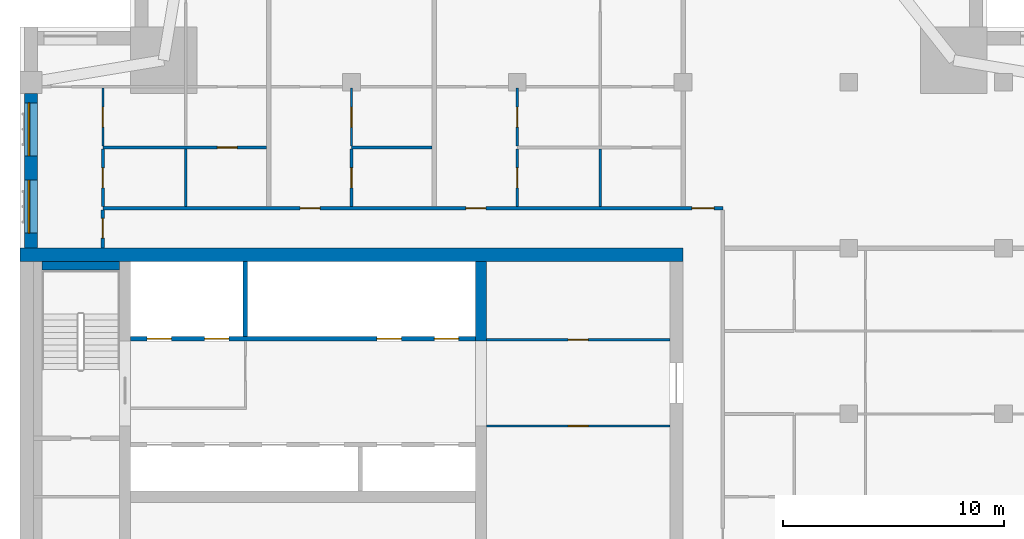
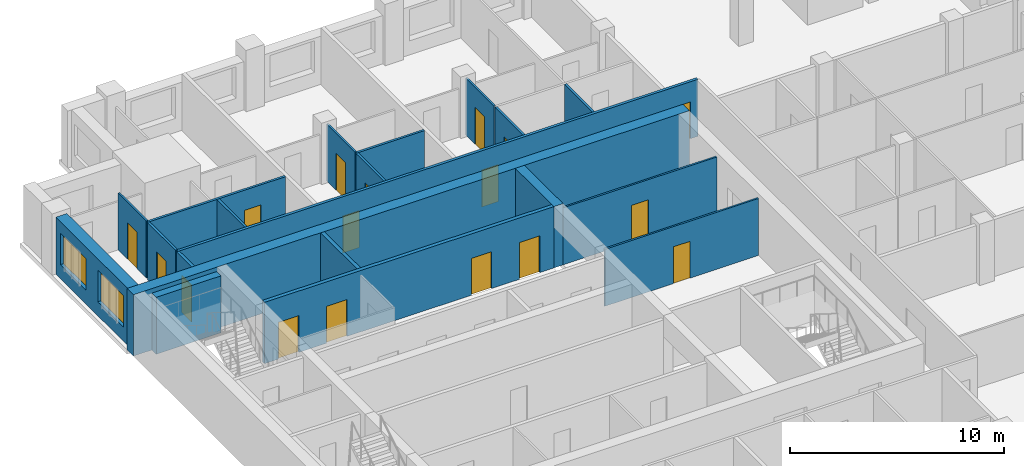
# One storey, part 6 of 10: 20 walls, 17 doors, 2 windows, 19 openings.
"""IFC4 building model written with IfcOpenShell, lengths in metres."""

from ifc_helpers import new_model, si_unit, direction, frame, frame_2d, origin, place, context, subcontext, project, spatial, rectangle, extrude, material, layer, layer_set, type_object, element, fill, save


model = new_model("IFC4")

# Units and contexts
model_context = context("Model", 3, precision=1e-05, world=origin(), true_north=direction((0.0, 1.0)))
body_context = subcontext(model_context, "Body", "Model", "MODEL_VIEW")
ifc_project = project(units=[si_unit("LENGTHUNIT", "METRE"), si_unit("AREAUNIT", "SQUARE_METRE"), si_unit("VOLUMEUNIT", "CUBIC_METRE"), si_unit("PLANEANGLEUNIT", "RADIAN"), si_unit("MASSUNIT", "GRAM", prefix="KILO")], contexts=[model_context])

# Site, building, storey
site_placement = place(None, origin())
site = spatial("IfcSite", under=ifc_project, at=site_placement, CompositionType="ELEMENT")
building_placement = place(site_placement, origin())
building = spatial("IfcBuilding", under=site, at=building_placement, Name="Tamorin Gate", CompositionType="ELEMENT")
storey_placement = place(building_placement, frame((0.0, 0.0, 237.199951171875)))
storey = spatial("IfcBuildingStorey", under=building, at=storey_placement, Name="L59", CompositionType="ELEMENT", Elevation=237.199951171875)

# Wall, openings, windows
ifc_material_1 = material(Name="Precast concrete C40/50", Category="concrete")
ifc_layer_1 = layer(ifc_material_1, 0.60009765625)
ifc_layer_set_1 = layer_set([ifc_layer_1], Name="Precast concrete C40/50")
wall_type_1 = type_object("IfcWallType", Name="Board-marked concrete facade panel 600", PredefinedType="SOLIDWALL", material=ifc_layer_set_1)
wall_1_placement = place(storey_placement, frame((30.5, 89.5, 0.0), z_axis=(0.0, 0.0, 1.0), x_axis=(0.0, -1.0, 0.0)))
wall_1 = element("IfcWall", 1, at=wall_1_placement, inside=storey, type_object=wall_type_1, Name="Facade panel", PredefinedType="SOLIDWALL", context=body_context, shape_type="SweptSolid", body=[
    extrude(rectangle(XDim=7.0, YDim=0.60009765625, at=frame_2d((3.5, 0.0))), origin(), (0.0, 0.0, 1.0), 3.25),
])
opening_1_placement = place(wall_1_placement, frame((3.925048828125, 0.0, 0.800048828125)))
opening_1 = element("IfcOpeningElement", 2, at=opening_1_placement, cuts=wall_1, Name="Opening WN1", PredefinedType="OPENING", context=body_context, shape_type="SweptSolid", body=[
    extrude(rectangle(XDim=2.39990234375, YDim=1.800048828125, at=frame_2d((1.199951171875, 0.89990234375))), frame((0.0, 0.31005859375, 0.0), z_axis=(0.0, -1.0, 0.0), x_axis=(1.0, 0.0, 0.0)), (0.0, 0.0, 1.0), 0.6201171875),
])
opening_2_placement = place(wall_1_placement, frame((0.425048828125, 0.0, 0.800048828125)))
opening_2 = element("IfcOpeningElement", 3, at=opening_2_placement, cuts=wall_1, Name="Opening WN1", PredefinedType="OPENING", context=body_context, shape_type="SweptSolid", body=[
    extrude(rectangle(XDim=2.39990234375, YDim=1.800048828125, at=frame_2d((1.199951171875, 0.89990234375))), frame((0.0, 0.31005859375, 0.0), z_axis=(0.0, -1.0, 0.0), x_axis=(1.0, 0.0, 0.0)), (0.0, 0.0, 1.0), 0.6201171875),
])
ifc_material_2 = material(Name="Clear glass in aluminium frame", Category="aluminium")
window_type = type_object("IfcWindowType", Name="Deep-set window 2400x1800", PartitioningType="SINGLE_PANEL", PredefinedType="WINDOW", material=ifc_material_2)
window_1_placement = place(opening_1_placement, origin())
window_1 = element("IfcWindow", 4, at=window_1_placement, inside=storey, type_object=window_type, Name="Deep-set window", OverallHeight=1.800048828125, OverallWidth=2.39990234375, PartitioningType="SINGLE_PANEL", PredefinedType="WINDOW", context=body_context, shape_type="SweptSolid", body=[
    extrude(rectangle(XDim=2.39990234375, YDim=1.800048828125, at=frame_2d((1.199951171875, 0.89990234375))), frame((0.0, -0.070068359375, 0.0), z_axis=(0.0, -1.0, 0.0), x_axis=(1.0, 0.0, 0.0)), (0.0, 0.0, 1.0), 0.06005859375),
])
fill(opening_1, window_1)
window_2_placement = place(opening_2_placement, origin())
window_2 = element("IfcWindow", 5, at=window_2_placement, inside=storey, type_object=window_type, Name="Deep-set window", OverallHeight=1.800048828125, OverallWidth=2.39990234375, PartitioningType="SINGLE_PANEL", PredefinedType="WINDOW", context=body_context, shape_type="SweptSolid", body=[
    extrude(rectangle(XDim=2.39990234375, YDim=1.800048828125, at=frame_2d((1.199951171875, 0.89990234375))), frame((0.0, -0.070068359375, 0.0), z_axis=(0.0, -1.0, 0.0), x_axis=(1.0, 0.0, 0.0)), (0.0, 0.0, 1.0), 0.06005859375),
])
fill(opening_2, window_2)

# Wall, openings, doors
ifc_material_3 = material(Name="Gypsum board partition")
ifc_layer_2 = layer(ifc_material_3, 0.14990234375)
ifc_layer_set_2 = layer_set([ifc_layer_2], Name="Corridor wall 150")
wall_type_2 = type_object("IfcWallType", Name="Corridor wall 150", PredefinedType="PARTITIONING", material=ifc_layer_set_2)
wall_2_placement = place(storey_placement, frame((33.75, 84.300048828125, 0.0), z_axis=(0.0, 0.0, 1.0), x_axis=(1.0, 0.0, 0.0)))
wall_2 = element("IfcWall", 6, at=wall_2_placement, inside=storey, type_object=wall_type_2, Name="Corridor wall 150", PredefinedType="PARTITIONING", context=body_context, shape_type="SweptSolid", body=[
    extrude(rectangle(XDim=28.050048828125, YDim=0.14990234375, at=frame_2d((14.02490234375, 0.0))), origin(), (0.0, 0.0, 1.0), 3.25),
])
opening_3_placement = place(wall_2_placement, frame((8.925048828125, 0.0, 0.0)))
opening_3 = element("IfcOpeningElement", 7, at=opening_3_placement, cuts=wall_2, Name="Opening DR5029", PredefinedType="OPENING", context=body_context, shape_type="SweptSolid", body=[
    extrude(rectangle(XDim=0.89990234375, YDim=2.10009765625, at=frame_2d((0.449951171875, 1.050048828125))), frame((0.0, 0.0849609375, 0.0), z_axis=(0.0, -1.0, 0.0), x_axis=(1.0, 0.0, 0.0)), (0.0, 0.0, 1.0), 0.169921875),
])
opening_4_placement = place(wall_2_placement, frame((16.425048828125, 0.0, 0.0)))
opening_4 = element("IfcOpeningElement", 8, at=opening_4_placement, cuts=wall_2, Name="Opening DR5033", PredefinedType="OPENING", context=body_context, shape_type="SweptSolid", body=[
    extrude(rectangle(XDim=0.89990234375, YDim=2.10009765625, at=frame_2d((0.449951171875, 1.050048828125))), frame((0.0, 0.0849609375, 0.0), z_axis=(0.0, -1.0, 0.0), x_axis=(1.0, 0.0, 0.0)), (0.0, 0.0, 1.0), 0.169921875),
])
opening_5_placement = place(wall_2_placement, frame((26.64990234375, 0.0, 0.0)))
opening_5 = element("IfcOpeningElement", 9, at=opening_5_placement, cuts=wall_2, Name="Opening DR5040", PredefinedType="OPENING", context=body_context, shape_type="SweptSolid", body=[
    extrude(rectangle(XDim=1.0, YDim=2.10009765625, at=frame_2d((0.5, 1.050048828125))), frame((0.0, 0.0849609375, 0.0), z_axis=(0.0, -1.0, 0.0), x_axis=(1.0, 0.0, 0.0)), (0.0, 0.0, 1.0), 0.169921875),
])
ifc_material_4 = material(Name="Timber door leaf", Category="wood")
door_type_1 = type_object("IfcDoorType", Name="Door 1000 x 2100 FD30S", OperationType="NOTDEFINED", PredefinedType="DOOR", material=ifc_material_4)
door_1_placement = place(opening_5_placement, origin())
door_1 = element("IfcDoor", 10, at=door_1_placement, inside=storey, type_object=door_type_1, Name="Door DR5040", OperationType="SINGLE_SWING_LEFT", OverallHeight=2.10009765625, OverallWidth=1.0, PredefinedType="DOOR", context=body_context, shape_type="SweptSolid", body=[
    extrude(rectangle(XDim=1.0, YDim=2.10009765625, at=frame_2d((0.5, 1.050048828125))), frame((0.0, 0.02490234375, 0.0), z_axis=(0.0, -1.0, 0.0), x_axis=(1.0, 0.0, 0.0)), (0.0, 0.0, 1.0), 0.050048828125),
])
fill(opening_5, door_1)
door_type_2 = type_object("IfcDoorType", Name="Door 900 x 2100 FD30S", OperationType="NOTDEFINED", PredefinedType="DOOR", material=ifc_material_4)
door_2_placement = place(opening_3_placement, origin())
door_2 = element("IfcDoor", 11, at=door_2_placement, inside=storey, type_object=door_type_2, Name="Door DR5029", OperationType="SINGLE_SWING_LEFT", OverallHeight=2.10009765625, OverallWidth=0.89990234375, PredefinedType="DOOR", context=body_context, shape_type="SweptSolid", body=[
    extrude(rectangle(XDim=0.89990234375, YDim=2.10009765625, at=frame_2d((0.449951171875, 1.050048828125))), frame((0.0, 0.02490234375, 0.0), z_axis=(0.0, -1.0, 0.0), x_axis=(1.0, 0.0, 0.0)), (0.0, 0.0, 1.0), 0.050048828125),
])
fill(opening_3, door_2)
door_3_placement = place(opening_4_placement, origin())
door_3 = element("IfcDoor", 12, at=door_3_placement, inside=storey, type_object=door_type_2, Name="Door DR5033", OperationType="SINGLE_SWING_LEFT", OverallHeight=2.10009765625, OverallWidth=0.89990234375, PredefinedType="DOOR", context=body_context, shape_type="SweptSolid", body=[
    extrude(rectangle(XDim=0.89990234375, YDim=2.10009765625, at=frame_2d((0.449951171875, 1.050048828125))), frame((0.0, 0.02490234375, 0.0), z_axis=(0.0, -1.0, 0.0), x_axis=(1.0, 0.0, 0.0)), (0.0, 0.0, 1.0), 0.050048828125),
])
fill(opening_4, door_3)

# Wall, opening, door
wall_3_placement = place(storey_placement, frame((33.75, 82.5, 0.0), z_axis=(0.0, 0.0, 1.0), x_axis=(0.0, 1.0, 0.0)))
wall_3 = element("IfcWall", 13, at=wall_3_placement, inside=storey, type_object=wall_type_2, Name="Corridor wall 150", PredefinedType="PARTITIONING", context=body_context, shape_type="SweptSolid", body=[
    extrude(rectangle(XDim=1.72509765625, YDim=0.14990234375, at=frame_2d((0.862548828125, 0.0))), origin(), (0.0, 0.0, 1.0), 3.25),
])
opening_6_placement = place(wall_3_placement, frame((0.449951171875, 0.0, 0.0)))
opening_6 = element("IfcOpeningElement", 14, at=opening_6_placement, cuts=wall_3, Name="Opening DR5022", PredefinedType="OPENING", context=body_context, shape_type="SweptSolid", body=[
    extrude(rectangle(XDim=0.89990234375, YDim=2.10009765625, at=frame_2d((0.449951171875, 1.050048828125))), frame((0.0, 0.0849609375, 0.0), z_axis=(0.0, -1.0, 0.0), x_axis=(1.0, 0.0, 0.0)), (0.0, 0.0, 1.0), 0.169921875),
])
door_4_placement = place(opening_6_placement, origin())
door_4 = element("IfcDoor", 15, at=door_4_placement, inside=storey, type_object=door_type_2, Name="Door DR5022", OperationType="SINGLE_SWING_LEFT", OverallHeight=2.10009765625, OverallWidth=0.89990234375, PredefinedType="DOOR", context=body_context, shape_type="SweptSolid", body=[
    extrude(rectangle(XDim=0.89990234375, YDim=2.10009765625, at=frame_2d((0.449951171875, 1.050048828125))), frame((0.0, 0.02490234375, 0.0), z_axis=(0.0, -1.0, 0.0), x_axis=(1.0, 0.0, 0.0)), (0.0, 0.0, 1.0), 0.050048828125),
])
fill(opening_6, door_4)

# Wall, openings, doors
ifc_material_5 = material(Name="Concrete C32/40", Category="concrete")
ifc_layer_3 = layer(ifc_material_5, 0.199951171875)
ifc_layer_set_3 = layer_set([ifc_layer_3], Name="Lift lobby face wall 200 EI 120")
wall_type_3 = type_object("IfcWallType", Name="Lift lobby face wall 200 EI 120", PredefinedType="SOLIDWALL", material=ifc_layer_set_3)
wall_4_placement = place(storey_placement, frame((35.0, 78.39990234375, 0.0), z_axis=(0.0, 0.0, 1.0), x_axis=(1.0, 0.0, 0.0)))
wall_4 = element("IfcWall", 16, at=wall_4_placement, inside=storey, type_object=wall_type_3, Name="Lift lobby face wall", PredefinedType="SOLIDWALL", context=body_context, shape_type="SweptSolid", body=[
    extrude(rectangle(XDim=15.60009765625, YDim=0.199951171875, at=frame_2d((7.800048828125, 0.0))), origin(), (0.0, 0.0, 1.0), 3.5),
])
opening_7_placement = place(wall_4_placement, frame((0.75, 0.0, 0.0)))
opening_7 = element("IfcOpeningElement", 17, at=opening_7_placement, cuts=wall_4, Name="Opening LD17", PredefinedType="OPENING", context=body_context, shape_type="SweptSolid", body=[
    extrude(rectangle(XDim=1.10009765625, YDim=2.10009765625, at=frame_2d((0.550048828125, 1.050048828125))), frame((0.0, 0.10986328125, 0.0), z_axis=(0.0, -1.0, 0.0), x_axis=(1.0, 0.0, 0.0)), (0.0, 0.0, 1.0), 0.219970703125),
])
opening_8_placement = place(wall_4_placement, frame((3.35009765625, 0.0, 0.0)))
opening_8 = element("IfcOpeningElement", 18, at=opening_8_placement, cuts=wall_4, Name="Opening LD18", PredefinedType="OPENING", context=body_context, shape_type="SweptSolid", body=[
    extrude(rectangle(XDim=1.10009765625, YDim=2.10009765625, at=frame_2d((0.550048828125, 1.050048828125))), frame((0.0, 0.10986328125, 0.0), z_axis=(0.0, -1.0, 0.0), x_axis=(1.0, 0.0, 0.0)), (0.0, 0.0, 1.0), 0.219970703125),
])
opening_9_placement = place(wall_4_placement, frame((11.14990234375, 0.0, 0.0)))
opening_9 = element("IfcOpeningElement", 19, at=opening_9_placement, cuts=wall_4, Name="Opening LD21", PredefinedType="OPENING", context=body_context, shape_type="SweptSolid", body=[
    extrude(rectangle(XDim=1.10009765625, YDim=2.10009765625, at=frame_2d((0.550048828125, 1.050048828125))), frame((0.0, 0.10986328125, 0.0), z_axis=(0.0, -1.0, 0.0), x_axis=(1.0, 0.0, 0.0)), (0.0, 0.0, 1.0), 0.219970703125),
])
opening_10_placement = place(wall_4_placement, frame((13.75, 0.0, 0.0)))
opening_10 = element("IfcOpeningElement", 20, at=opening_10_placement, cuts=wall_4, Name="Opening LD22", PredefinedType="OPENING", context=body_context, shape_type="SweptSolid", body=[
    extrude(rectangle(XDim=1.10009765625, YDim=2.10009765625, at=frame_2d((0.550048828125, 1.050048828125))), frame((0.0, 0.10986328125, 0.0), z_axis=(0.0, -1.0, 0.0), x_axis=(1.0, 0.0, 0.0)), (0.0, 0.0, 1.0), 0.219970703125),
])
ifc_material_6 = material(Name="Stainless steel sliding door", Category="steel")
door_type_3 = type_object("IfcDoorType", Name="Lift landing door 1100 x 2100 E 90", OperationType="DOUBLE_DOOR_SLIDING", PredefinedType="DOOR", material=ifc_material_6)
door_5_placement = place(opening_7_placement, origin())
door_5 = element("IfcDoor", 21, at=door_5_placement, inside=storey, type_object=door_type_3, Name="FF1 landing door", OperationType="DOUBLE_DOOR_SLIDING", OverallHeight=2.10009765625, OverallWidth=1.10009765625, PredefinedType="DOOR", context=body_context, shape_type="SweptSolid", body=[
    extrude(rectangle(XDim=1.10009765625, YDim=2.10009765625, at=frame_2d((0.550048828125, 1.050048828125))), frame((0.0, 0.02490234375, 0.0), z_axis=(0.0, -1.0, 0.0), x_axis=(1.0, 0.0, 0.0)), (0.0, 0.0, 1.0), 0.050048828125),
])
fill(opening_7, door_5)
door_6_placement = place(opening_8_placement, origin())
door_6 = element("IfcDoor", 22, at=door_6_placement, inside=storey, type_object=door_type_3, Name="FF2 landing door", OperationType="DOUBLE_DOOR_SLIDING", OverallHeight=2.10009765625, OverallWidth=1.10009765625, PredefinedType="DOOR", context=body_context, shape_type="SweptSolid", body=[
    extrude(rectangle(XDim=1.10009765625, YDim=2.10009765625, at=frame_2d((0.550048828125, 1.050048828125))), frame((0.0, 0.02490234375, 0.0), z_axis=(0.0, -1.0, 0.0), x_axis=(1.0, 0.0, 0.0)), (0.0, 0.0, 1.0), 0.050048828125),
])
fill(opening_8, door_6)
door_7_placement = place(opening_9_placement, origin())
door_7 = element("IfcDoor", 23, at=door_7_placement, inside=storey, type_object=door_type_3, Name="SV1 landing door", OperationType="DOUBLE_DOOR_SLIDING", OverallHeight=2.10009765625, OverallWidth=1.10009765625, PredefinedType="DOOR", context=body_context, shape_type="SweptSolid", body=[
    extrude(rectangle(XDim=1.10009765625, YDim=2.10009765625, at=frame_2d((0.550048828125, 1.050048828125))), frame((0.0, 0.02490234375, 0.0), z_axis=(0.0, -1.0, 0.0), x_axis=(1.0, 0.0, 0.0)), (0.0, 0.0, 1.0), 0.050048828125),
])
fill(opening_9, door_7)
door_8_placement = place(opening_10_placement, origin())
door_8 = element("IfcDoor", 24, at=door_8_placement, inside=storey, type_object=door_type_3, Name="SV2 landing door", OperationType="DOUBLE_DOOR_SLIDING", OverallHeight=2.10009765625, OverallWidth=1.10009765625, PredefinedType="DOOR", context=body_context, shape_type="SweptSolid", body=[
    extrude(rectangle(XDim=1.10009765625, YDim=2.10009765625, at=frame_2d((0.550048828125, 1.050048828125))), frame((0.0, 0.02490234375, 0.0), z_axis=(0.0, -1.0, 0.0), x_axis=(1.0, 0.0, 0.0)), (0.0, 0.0, 1.0), 0.050048828125),
])
fill(opening_10, door_8)

# Walls
ifc_layer_4 = layer(ifc_material_5, 0.199951171875)
ifc_layer_set_4 = layer_set([ifc_layer_4], Name="Lift shaft wall 200 EI 120")
wall_type_4 = type_object("IfcWallType", Name="Lift shaft wall 200 EI 120", PredefinedType="SOLIDWALL", material=ifc_layer_set_4)
wall_5_placement = place(storey_placement, frame((40.199951171875, 78.5, 0.0), z_axis=(0.0, 0.0, 1.0), x_axis=(0.0, 1.0, 0.0)))
element("IfcWall", 25, at=wall_5_placement, inside=storey, type_object=wall_type_4, Name="Lift shaft wall", PredefinedType="SOLIDWALL", context=body_context, shape_type="SweptSolid", body=[
    extrude(rectangle(XDim=3.39990234375, YDim=0.199951171875, at=frame_2d((1.699951171875, 0.0))), origin(), (0.0, 0.0, 1.0), 3.5),
])
ifc_material_7 = material(Name="Concrete C50/60", Category="concrete")
ifc_layer_5 = layer(ifc_material_7, 0.5)
ifc_layer_set_5 = layer_set([ifc_layer_5], Name="RC core internal wall 500 C50/60")
wall_type_5 = type_object("IfcWallType", Name="RC core internal wall 500 C50/60", PredefinedType="SHEAR", material=ifc_layer_set_5)
wall_6_placement = place(storey_placement, frame((50.85009765625, 78.300048828125, 0.0), z_axis=(0.0, 0.0, 1.0), x_axis=(0.0, 1.0, 0.0)))
element("IfcWall", 26, at=wall_6_placement, inside=storey, type_object=wall_type_5, Name="Core cross wall L59", PredefinedType="SHEAR", context=body_context, shape_type="SweptSolid", body=[
    extrude(rectangle(XDim=3.599853515625, YDim=0.5, at=frame_2d((1.7998046875, 0.0))), origin(), (0.0, 0.0, 1.0), 3.5),
])
ifc_layer_6 = layer(ifc_material_7, 0.60009765625)
ifc_layer_set_6 = layer_set([ifc_layer_6], Name="RC core wall 600 C50/60")
wall_type_6 = type_object("IfcWallType", Name="RC core wall 600 C50/60", PredefinedType="SHEAR", material=ifc_layer_set_6)
wall_7_placement = place(storey_placement, frame((30.0, 82.199951171875, 0.0), z_axis=(0.0, 0.0, 1.0), x_axis=(1.0, 0.0, 0.0)))
element("IfcWall", 27, at=wall_7_placement, inside=storey, type_object=wall_type_6, Name="Core wall L59", PredefinedType="SHEAR", context=body_context, shape_type="SweptSolid", body=[
    extrude(rectangle(XDim=30.0, YDim=0.60009765625, at=frame_2d((15.0, 0.0))), origin(), (0.0, 0.0, 1.0), 3.5),
])

# Wall, opening, door
ifc_layer_7 = layer(ifc_material_3, 0.10009765625)
ifc_layer_set_7 = layer_set([ifc_layer_7], Name="Room partition 100")
wall_type_7 = type_object("IfcWallType", Name="Room partition 100", PredefinedType="PARTITIONING", material=ifc_layer_set_7)
wall_8_placement = place(storey_placement, frame((33.75, 87.112548828125, 0.0), z_axis=(0.0, 0.0, 1.0), x_axis=(0.0, 1.0, 0.0)))
wall_8 = element("IfcWall", 28, at=wall_8_placement, inside=storey, type_object=wall_type_7, Name="Room partition 100", PredefinedType="PARTITIONING", context=body_context, shape_type="SweptSolid", body=[
    extrude(rectangle(XDim=2.637451171875, YDim=0.10009765625, at=frame_2d((1.31884765625, 0.0))), origin(), (0.0, 0.0, 1.0), 3.25),
])
opening_11_placement = place(wall_8_placement, frame((0.862548828125, 0.0, 0.0)))
opening_11 = element("IfcOpeningElement", 29, at=opening_11_placement, cuts=wall_8, Name="Opening DR5024", PredefinedType="OPENING", context=body_context, shape_type="SweptSolid", body=[
    extrude(rectangle(XDim=0.89990234375, YDim=2.10009765625, at=frame_2d((0.449951171875, 1.050048828125))), frame((0.0, 0.06005859375, 0.0), z_axis=(0.0, -1.0, 0.0), x_axis=(1.0, 0.0, 0.0)), (0.0, 0.0, 1.0), 0.1201171875),
])
door_type_4 = type_object("IfcDoorType", Name="Door 900 x 2100", OperationType="NOTDEFINED", PredefinedType="DOOR", material=ifc_material_4)
door_9_placement = place(opening_11_placement, origin())
door_9 = element("IfcDoor", 30, at=door_9_placement, inside=storey, type_object=door_type_4, Name="Door DR5024", OperationType="SINGLE_SWING_RIGHT", OverallHeight=2.10009765625, OverallWidth=0.89990234375, PredefinedType="DOOR", context=body_context, shape_type="SweptSolid", body=[
    extrude(rectangle(XDim=0.89990234375, YDim=2.10009765625, at=frame_2d((0.449951171875, 1.050048828125))), frame((0.0, 0.02490234375, 0.0), z_axis=(0.0, -1.0, 0.0), x_axis=(1.0, 0.0, 0.0)), (0.0, 0.0, 1.0), 0.050048828125),
])
fill(opening_11, door_9)

wall_9_placement = place(storey_placement, frame((45.0, 87.112548828125, 0.0), z_axis=(0.0, 0.0, 1.0), x_axis=(0.0, 1.0, 0.0)))
wall_9 = element("IfcWall", 31, at=wall_9_placement, inside=storey, type_object=wall_type_7, Name="Room partition 100", PredefinedType="PARTITIONING", context=body_context, shape_type="SweptSolid", body=[
    extrude(rectangle(XDim=2.637451171875, YDim=0.10009765625, at=frame_2d((1.31884765625, 0.0))), origin(), (0.0, 0.0, 1.0), 3.25),
])
opening_12_placement = place(wall_9_placement, frame((0.862548828125, 0.0, 0.0)))
opening_12 = element("IfcOpeningElement", 32, at=opening_12_placement, cuts=wall_9, Name="Opening DR5031", PredefinedType="OPENING", context=body_context, shape_type="SweptSolid", body=[
    extrude(rectangle(XDim=0.89990234375, YDim=2.10009765625, at=frame_2d((0.449951171875, 1.050048828125))), frame((0.0, 0.06005859375, 0.0), z_axis=(0.0, -1.0, 0.0), x_axis=(1.0, 0.0, 0.0)), (0.0, 0.0, 1.0), 0.1201171875),
])
door_10_placement = place(opening_12_placement, origin())
door_10 = element("IfcDoor", 33, at=door_10_placement, inside=storey, type_object=door_type_4, Name="Door DR5031", OperationType="SINGLE_SWING_RIGHT", OverallHeight=2.10009765625, OverallWidth=0.89990234375, PredefinedType="DOOR", context=body_context, shape_type="SweptSolid", body=[
    extrude(rectangle(XDim=0.89990234375, YDim=2.10009765625, at=frame_2d((0.449951171875, 1.050048828125))), frame((0.0, 0.02490234375, 0.0), z_axis=(0.0, -1.0, 0.0), x_axis=(1.0, 0.0, 0.0)), (0.0, 0.0, 1.0), 0.050048828125),
])
fill(opening_12, door_10)

wall_10_placement = place(storey_placement, frame((52.5, 87.112548828125, 0.0), z_axis=(0.0, 0.0, 1.0), x_axis=(0.0, 1.0, 0.0)))
wall_10 = element("IfcWall", 34, at=wall_10_placement, inside=storey, type_object=wall_type_7, Name="Room partition 100", PredefinedType="PARTITIONING", context=body_context, shape_type="SweptSolid", body=[
    extrude(rectangle(XDim=2.637451171875, YDim=0.10009765625, at=frame_2d((1.31884765625, 0.0))), origin(), (0.0, 0.0, 1.0), 3.25),
])
opening_13_placement = place(wall_10_placement, frame((0.862548828125, 0.0, 0.0)))
opening_13 = element("IfcOpeningElement", 35, at=opening_13_placement, cuts=wall_10, Name="Opening DR5035", PredefinedType="OPENING", context=body_context, shape_type="SweptSolid", body=[
    extrude(rectangle(XDim=0.89990234375, YDim=2.10009765625, at=frame_2d((0.449951171875, 1.050048828125))), frame((0.0, 0.06005859375, 0.0), z_axis=(0.0, -1.0, 0.0), x_axis=(1.0, 0.0, 0.0)), (0.0, 0.0, 1.0), 0.1201171875),
])
door_11_placement = place(opening_13_placement, origin())
door_11 = element("IfcDoor", 36, at=door_11_placement, inside=storey, type_object=door_type_4, Name="Door DR5035", OperationType="SINGLE_SWING_RIGHT", OverallHeight=2.10009765625, OverallWidth=0.89990234375, PredefinedType="DOOR", context=body_context, shape_type="SweptSolid", body=[
    extrude(rectangle(XDim=0.89990234375, YDim=2.10009765625, at=frame_2d((0.449951171875, 1.050048828125))), frame((0.0, 0.02490234375, 0.0), z_axis=(0.0, -1.0, 0.0), x_axis=(1.0, 0.0, 0.0)), (0.0, 0.0, 1.0), 0.050048828125),
])
fill(opening_13, door_11)

ifc_layer_8 = layer(ifc_material_3, 0.10009765625)
ifc_layer_set_8 = layer_set([ifc_layer_8], Name="Service room partition 100 EI 60")
wall_type_8 = type_object("IfcWallType", Name="Service room partition 100 EI 60", PredefinedType="PARTITIONING", material=ifc_layer_set_8)
wall_11_placement = place(storey_placement, frame((51.10009765625, 74.449951171875, 0.0), z_axis=(0.0, 0.0, 1.0), x_axis=(1.0, 0.0, 0.0)))
wall_11 = element("IfcWall", 37, at=wall_11_placement, inside=storey, type_object=wall_type_8, Name="Service room wall", PredefinedType="PARTITIONING", context=body_context, shape_type="SweptSolid", body=[
    extrude(rectangle(XDim=8.2998046875, YDim=0.10009765625, at=frame_2d((4.14990234375, 0.0))), origin(), (0.0, 0.0, 1.0), 3.25),
])
opening_14_placement = place(wall_11_placement, frame((3.699951171875, 0.0, 0.0)))
opening_14 = element("IfcOpeningElement", 38, at=opening_14_placement, cuts=wall_11, Name="Opening DR1", PredefinedType="OPENING", context=body_context, shape_type="SweptSolid", body=[
    extrude(rectangle(XDim=0.89990234375, YDim=2.10009765625, at=frame_2d((0.449951171875, 1.050048828125))), frame((0.0, 0.06005859375, 0.0), z_axis=(0.0, -1.0, 0.0), x_axis=(1.0, 0.0, 0.0)), (0.0, 0.0, 1.0), 0.1201171875),
])
ifc_material_8 = material(Name="Steel fire door", Category="steel")
door_type_5 = type_object("IfcDoorType", Name="Riser access door 900 x 2100 EI 120", OperationType="SINGLE_SWING_LEFT", PredefinedType="DOOR", material=ifc_material_8)
door_12_placement = place(opening_14_placement, origin())
door_12 = element("IfcDoor", 39, at=door_12_placement, inside=storey, type_object=door_type_5, Name="Duct riser door", OperationType="SINGLE_SWING_LEFT", OverallHeight=2.10009765625, OverallWidth=0.89990234375, PredefinedType="DOOR", context=body_context, shape_type="SweptSolid", body=[
    extrude(rectangle(XDim=0.89990234375, YDim=2.10009765625, at=frame_2d((0.449951171875, 1.050048828125))), frame((0.0, 0.02490234375, 0.0), z_axis=(0.0, -1.0, 0.0), x_axis=(1.0, 0.0, 0.0)), (0.0, 0.0, 1.0), 0.050048828125),
])
fill(opening_14, door_12)

wall_12_placement = place(storey_placement, frame((51.10009765625, 78.35009765625, 0.0), z_axis=(0.0, 0.0, 1.0), x_axis=(1.0, 0.0, 0.0)))
wall_12 = element("IfcWall", 40, at=wall_12_placement, inside=storey, type_object=wall_type_8, Name="Service room wall", PredefinedType="PARTITIONING", context=body_context, shape_type="SweptSolid", body=[
    extrude(rectangle(XDim=8.2998046875, YDim=0.10009765625, at=frame_2d((4.14990234375, 0.0))), origin(), (0.0, 0.0, 1.0), 3.25),
])
opening_15_placement = place(wall_12_placement, frame((3.699951171875, 0.0, 0.0)))
opening_15 = element("IfcOpeningElement", 41, at=opening_15_placement, cuts=wall_12, Name="Opening DK1", PredefinedType="OPENING", context=body_context, shape_type="SweptSolid", body=[
    extrude(rectangle(XDim=0.89990234375, YDim=2.10009765625, at=frame_2d((0.449951171875, 1.050048828125))), frame((0.0, 0.06005859375, 0.0), z_axis=(0.0, -1.0, 0.0), x_axis=(1.0, 0.0, 0.0)), (0.0, 0.0, 1.0), 0.1201171875),
])
ifc_material_9 = material(Name="Timber fire door", Category="wood")
door_type_6 = type_object("IfcDoorType", Name="Service room door 900 x 2100 EI 60", OperationType="SINGLE_SWING_LEFT", PredefinedType="DOOR", material=ifc_material_9)
door_13_placement = place(opening_15_placement, origin())
door_13 = element("IfcDoor", 42, at=door_13_placement, inside=storey, type_object=door_type_6, Name="Door Store", OperationType="SINGLE_SWING_LEFT", OverallHeight=2.10009765625, OverallWidth=0.89990234375, PredefinedType="DOOR", context=body_context, shape_type="SweptSolid", body=[
    extrude(rectangle(XDim=0.89990234375, YDim=2.10009765625, at=frame_2d((0.449951171875, 1.050048828125))), frame((0.0, 0.02490234375, 0.0), z_axis=(0.0, -1.0, 0.0), x_axis=(1.0, 0.0, 0.0)), (0.0, 0.0, 1.0), 0.050048828125),
])
fill(opening_15, door_13)

# Wall
ifc_layer_9 = layer(ifc_material_7, 0.39990234375)
ifc_layer_set_9 = layer_set([ifc_layer_9], Name="Stair lining wall 400 EI 120 C50/60")
wall_type_9 = type_object("IfcWallType", Name="Stair lining wall 400 EI 120 C50/60", PredefinedType="SOLIDWALL", material=ifc_layer_set_9)
wall_13_placement = place(storey_placement, frame((31.0, 81.699951171875, 0.0), z_axis=(0.0, 0.0, 1.0), x_axis=(1.0, 0.0, 0.0)))
element("IfcWall", 43, at=wall_13_placement, inside=storey, type_object=wall_type_9, Name="Stair lining wall", PredefinedType="SOLIDWALL", context=body_context, shape_type="SweptSolid", body=[
    extrude(rectangle(XDim=3.5, YDim=0.39990234375, at=frame_2d((1.75, 0.0))), origin(), (0.0, 0.0, 1.0), 3.25),
])

# Wall, opening, door
ifc_layer_10 = layer(ifc_material_3, 0.125)
ifc_layer_set_10 = layer_set([ifc_layer_10], Name="Wet wall 125")
wall_type_10 = type_object("IfcWallType", Name="Wet wall 125", PredefinedType="PARTITIONING", material=ifc_layer_set_10)
wall_14_placement = place(storey_placement, frame((33.75, 87.050048828125, 0.0), z_axis=(0.0, 0.0, 1.0), x_axis=(1.0, 0.0, 0.0)))
wall_14 = element("IfcWall", 44, at=wall_14_placement, inside=storey, type_object=wall_type_10, Name="Wet wall 125", PredefinedType="PARTITIONING", context=body_context, shape_type="SweptSolid", body=[
    extrude(rectangle(XDim=7.39990234375, YDim=0.125, at=frame_2d((3.699951171875, 0.0))), origin(), (0.0, 0.0, 1.0), 3.25),
])
opening_16_placement = place(wall_14_placement, frame((5.175048828125, 0.0, 0.0)))
opening_16 = element("IfcOpeningElement", 45, at=opening_16_placement, cuts=wall_14, Name="Opening DR5027", PredefinedType="OPENING", context=body_context, shape_type="SweptSolid", body=[
    extrude(rectangle(XDim=0.89990234375, YDim=2.10009765625, at=frame_2d((0.449951171875, 1.050048828125))), frame((0.0, 0.072509765625, 0.0), z_axis=(0.0, -1.0, 0.0), x_axis=(1.0, 0.0, 0.0)), (0.0, 0.0, 1.0), 0.14501953125),
])
door_14_placement = place(opening_16_placement, origin())
door_14 = element("IfcDoor", 46, at=door_14_placement, inside=storey, type_object=door_type_4, Name="Door DR5027", OperationType="SINGLE_SWING_RIGHT", OverallHeight=2.10009765625, OverallWidth=0.89990234375, PredefinedType="DOOR", context=body_context, shape_type="SweptSolid", body=[
    extrude(rectangle(XDim=0.89990234375, YDim=2.10009765625, at=frame_2d((0.449951171875, 1.050048828125))), frame((0.0, 0.02490234375, 0.0), z_axis=(0.0, -1.0, 0.0), x_axis=(1.0, 0.0, 0.0)), (0.0, 0.0, 1.0), 0.050048828125),
])
fill(opening_16, door_14)

# Wall
wall_15_placement = place(storey_placement, frame((45.0, 87.050048828125, 0.0), z_axis=(0.0, 0.0, 1.0), x_axis=(1.0, 0.0, 0.0)))
element("IfcWall", 47, at=wall_15_placement, inside=storey, type_object=wall_type_10, Name="Wet wall 125", PredefinedType="PARTITIONING", context=body_context, shape_type="SweptSolid", body=[
    extrude(rectangle(XDim=3.64990234375, YDim=0.125, at=frame_2d((1.824951171875, 0.0))), origin(), (0.0, 0.0, 1.0), 3.25),
])

# Wall, opening, door
wall_16_placement = place(storey_placement, frame((33.75, 84.375, 0.0), z_axis=(0.0, 0.0, 1.0), x_axis=(0.0, 1.0, 0.0)))
wall_16 = element("IfcWall", 48, at=wall_16_placement, inside=storey, type_object=wall_type_10, Name="Wet wall 125", PredefinedType="PARTITIONING", context=body_context, shape_type="SweptSolid", body=[
    extrude(rectangle(XDim=2.612548828125, YDim=0.125, at=frame_2d((1.30615234375, 0.0))), origin(), (0.0, 0.0, 1.0), 3.25),
])
opening_17_placement = place(wall_16_placement, frame((0.85009765625, 0.0, 0.0)))
opening_17 = element("IfcOpeningElement", 49, at=opening_17_placement, cuts=wall_16, Name="Opening DR5025", PredefinedType="OPENING", context=body_context, shape_type="SweptSolid", body=[
    extrude(rectangle(XDim=0.89990234375, YDim=2.10009765625, at=frame_2d((0.449951171875, 1.050048828125))), frame((0.0, 0.072509765625, 0.0), z_axis=(0.0, -1.0, 0.0), x_axis=(1.0, 0.0, 0.0)), (0.0, 0.0, 1.0), 0.14501953125),
])
door_15_placement = place(opening_17_placement, origin())
door_15 = element("IfcDoor", 50, at=door_15_placement, inside=storey, type_object=door_type_4, Name="Door DR5025", OperationType="SINGLE_SWING_RIGHT", OverallHeight=2.10009765625, OverallWidth=0.89990234375, PredefinedType="DOOR", context=body_context, shape_type="SweptSolid", body=[
    extrude(rectangle(XDim=0.89990234375, YDim=2.10009765625, at=frame_2d((0.449951171875, 1.050048828125))), frame((0.0, 0.02490234375, 0.0), z_axis=(0.0, -1.0, 0.0), x_axis=(1.0, 0.0, 0.0)), (0.0, 0.0, 1.0), 0.050048828125),
])
fill(opening_17, door_15)

# Wall
wall_17_placement = place(storey_placement, frame((37.5, 84.375, 0.0), z_axis=(0.0, 0.0, 1.0), x_axis=(0.0, 1.0, 0.0)))
element("IfcWall", 51, at=wall_17_placement, inside=storey, type_object=wall_type_10, Name="Wet wall 125", PredefinedType="PARTITIONING", context=body_context, shape_type="SweptSolid", body=[
    extrude(rectangle(XDim=2.612548828125, YDim=0.125, at=frame_2d((1.30615234375, 0.0))), origin(), (0.0, 0.0, 1.0), 3.25),
])

# Wall, opening, door
wall_18_placement = place(storey_placement, frame((45.0, 84.375, 0.0), z_axis=(0.0, 0.0, 1.0), x_axis=(0.0, 1.0, 0.0)))
wall_18 = element("IfcWall", 52, at=wall_18_placement, inside=storey, type_object=wall_type_10, Name="Wet wall 125", PredefinedType="PARTITIONING", context=body_context, shape_type="SweptSolid", body=[
    extrude(rectangle(XDim=2.612548828125, YDim=0.125, at=frame_2d((1.30615234375, 0.0))), origin(), (0.0, 0.0, 1.0), 3.25),
])
opening_18_placement = place(wall_18_placement, frame((0.85009765625, 0.0, 0.0)))
opening_18 = element("IfcOpeningElement", 53, at=opening_18_placement, cuts=wall_18, Name="Opening DR5032", PredefinedType="OPENING", context=body_context, shape_type="SweptSolid", body=[
    extrude(rectangle(XDim=0.89990234375, YDim=2.10009765625, at=frame_2d((0.449951171875, 1.050048828125))), frame((0.0, 0.072509765625, 0.0), z_axis=(0.0, -1.0, 0.0), x_axis=(1.0, 0.0, 0.0)), (0.0, 0.0, 1.0), 0.14501953125),
])
door_16_placement = place(opening_18_placement, origin())
door_16 = element("IfcDoor", 54, at=door_16_placement, inside=storey, type_object=door_type_4, Name="Door DR5032", OperationType="SINGLE_SWING_RIGHT", OverallHeight=2.10009765625, OverallWidth=0.89990234375, PredefinedType="DOOR", context=body_context, shape_type="SweptSolid", body=[
    extrude(rectangle(XDim=0.89990234375, YDim=2.10009765625, at=frame_2d((0.449951171875, 1.050048828125))), frame((0.0, 0.02490234375, 0.0), z_axis=(0.0, -1.0, 0.0), x_axis=(1.0, 0.0, 0.0)), (0.0, 0.0, 1.0), 0.050048828125),
])
fill(opening_18, door_16)

wall_19_placement = place(storey_placement, frame((52.5, 84.375, 0.0), z_axis=(0.0, 0.0, 1.0), x_axis=(0.0, 1.0, 0.0)))
wall_19 = element("IfcWall", 55, at=wall_19_placement, inside=storey, type_object=wall_type_10, Name="Wet wall 125", PredefinedType="PARTITIONING", context=body_context, shape_type="SweptSolid", body=[
    extrude(rectangle(XDim=2.612548828125, YDim=0.125, at=frame_2d((1.30615234375, 0.0))), origin(), (0.0, 0.0, 1.0), 3.25),
])
opening_19_placement = place(wall_19_placement, frame((0.85009765625, 0.0, 0.0)))
opening_19 = element("IfcOpeningElement", 56, at=opening_19_placement, cuts=wall_19, Name="Opening DR5036", PredefinedType="OPENING", context=body_context, shape_type="SweptSolid", body=[
    extrude(rectangle(XDim=0.89990234375, YDim=2.10009765625, at=frame_2d((0.449951171875, 1.050048828125))), frame((0.0, 0.072509765625, 0.0), z_axis=(0.0, -1.0, 0.0), x_axis=(1.0, 0.0, 0.0)), (0.0, 0.0, 1.0), 0.14501953125),
])
door_17_placement = place(opening_19_placement, origin())
door_17 = element("IfcDoor", 57, at=door_17_placement, inside=storey, type_object=door_type_4, Name="Door DR5036", OperationType="SINGLE_SWING_RIGHT", OverallHeight=2.10009765625, OverallWidth=0.89990234375, PredefinedType="DOOR", context=body_context, shape_type="SweptSolid", body=[
    extrude(rectangle(XDim=0.89990234375, YDim=2.10009765625, at=frame_2d((0.449951171875, 1.050048828125))), frame((0.0, 0.02490234375, 0.0), z_axis=(0.0, -1.0, 0.0), x_axis=(1.0, 0.0, 0.0)), (0.0, 0.0, 1.0), 0.050048828125),
])
fill(opening_19, door_17)

# Wall
wall_20_placement = place(storey_placement, frame((56.25, 84.375, 0.0), z_axis=(0.0, 0.0, 1.0), x_axis=(0.0, 1.0, 0.0)))
element("IfcWall", 58, at=wall_20_placement, inside=storey, type_object=wall_type_10, Name="Wet wall 125", PredefinedType="PARTITIONING", context=body_context, shape_type="SweptSolid", body=[
    extrude(rectangle(XDim=2.612548828125, YDim=0.125, at=frame_2d((1.30615234375, 0.0))), origin(), (0.0, 0.0, 1.0), 3.25),
])

save(model, "model.ifc")
